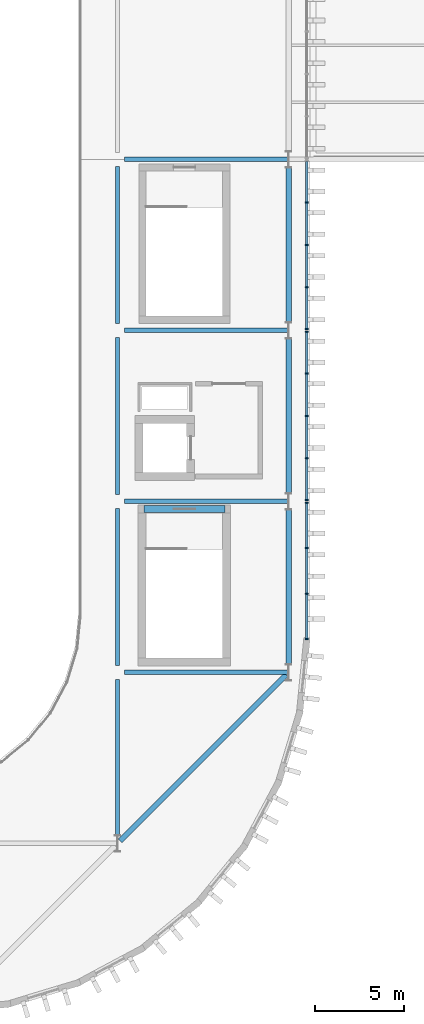
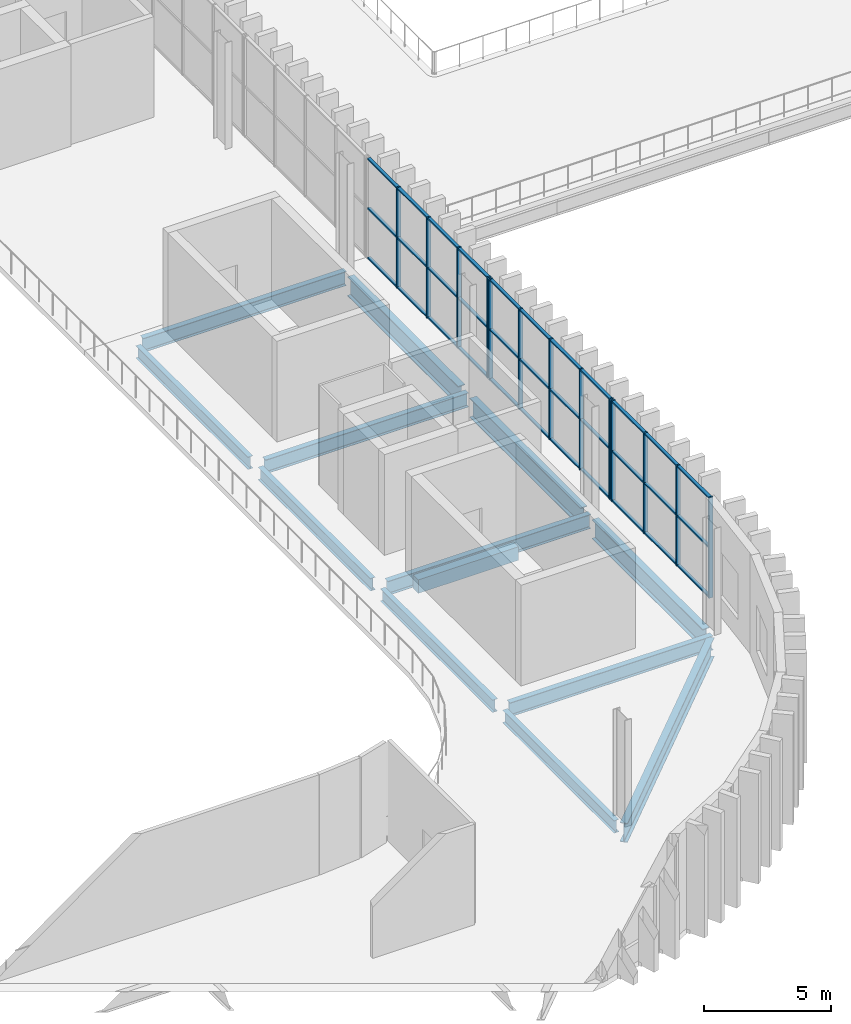
# One storey, part 15 of 45: 46 members, 13 beams, 3 elements without a shape of their own.
"""IFC4 building model written with IfcOpenShell, lengths in metres."""

from ifc_helpers import new_model, si_unit, direction, frame, origin, origin_2d, place, context, subcontext, project, spatial, rectangle, i_section, extrude, material, layer, layer_set, material_profile, profile_set, type_object, element, aggregate, save


model = new_model("IFC4")

# Units and contexts
model_context = context("Model", 3, precision=1e-05, world=origin(), true_north=direction((0.0, 1.0)))
body_context = subcontext(model_context, "Body", "Model", "MODEL_VIEW")
ifc_project = project(units=[si_unit("LENGTHUNIT", "METRE"), si_unit("AREAUNIT", "SQUARE_METRE"), si_unit("VOLUMEUNIT", "CUBIC_METRE"), si_unit("PLANEANGLEUNIT", "RADIAN"), si_unit("MASSUNIT", "GRAM", prefix="KILO")], contexts=[model_context])

# Site, building, storey
site_placement = place(None, origin())
site = spatial("IfcSite", under=ifc_project, at=site_placement, CompositionType="ELEMENT")
building_placement = place(site_placement, origin())
building = spatial("IfcBuilding", under=site, at=building_placement, Name="Caelomonte Colonnade Arena", CompositionType="ELEMENT")
storey_placement = place(building_placement, frame((0.0, 0.0, 23.10009765625)))
storey = spatial("IfcBuildingStorey", under=building, at=storey_placement, Name="L05", CompositionType="ELEMENT", Elevation=23.10009765625)

# Curtain wall, members
ifc_material_1 = material(Name="Bronze anodised aluminium and low-E glazing", Category="aluminium")
ifc_layer_1 = layer(ifc_material_1, 0.179931640625)
ifc_layer_set_1 = layer_set([ifc_layer_1], Name="Bronze anodised aluminium and low-E glazing")
curtain_wall_type_1 = type_object("IfcCurtainWallType", Name="ENV-CW-CW-L05-79-48", PredefinedType="USERDEFINED", material=ifc_layer_set_1)
curtain_wall_1_placement = place(storey_placement, origin())
curtain_wall_1 = element("IfcCurtainWall", 1, at=curtain_wall_1_placement, inside=storey, type_object=curtain_wall_type_1, Name="L05 unitized curtain wall CW-L05-1642-0440", ObjectType="UNITIZED CURTAIN WALL", PredefinedType="USERDEFINED")
ifc_material_2 = material(Name="Bronze anodised aluminium AA6063-T6", Category="aluminium")
ifc_material_profile_1 = material_profile(ifc_material_2, rectangle(XDim=0.070068359375, YDim=0.179931640625, at=origin_2d()), Name="CWM-70X180")
ifc_profile_set_1 = profile_set([ifc_material_profile_1], Name="Bronze anodised aluminium AA6063-T6")
member_type_1 = type_object("IfcMemberType", Name="ENV-CW-MULL1", PredefinedType="MULLION", material=ifc_profile_set_1)
member_1_placement = place(storey_placement, frame((164.219970703125, 40.27490234375, 0.0), z_axis=(0.0, 0.0, 1.0), x_axis=(0.0, 1.0, 0.0)))
member_1 = element("IfcMember", 2, at=member_1_placement, type_object=member_type_1, Name="CW-L05-79-48 mullion 1", PredefinedType="MULLION", context=body_context, shape_type="SweptSolid", body=[
    extrude(rectangle(XDim=0.070068359375, YDim=0.179931640625, at=origin_2d()), origin(), (0.0, 0.0, 1.0), 4.81982421875),
])
member_2_placement = place(storey_placement, frame((164.219970703125, 42.813232421875, 0.0), z_axis=(0.0, 0.0, 1.0), x_axis=(0.0, 1.0, 0.0)))
member_2 = element("IfcMember", 3, at=member_2_placement, type_object=member_type_1, Name="CW-L05-79-48 mullion 2", PredefinedType="MULLION", context=body_context, shape_type="SweptSolid", body=[
    extrude(rectangle(XDim=0.070068359375, YDim=0.179931640625, at=origin_2d()), origin(), (0.0, 0.0, 1.0), 4.81982421875),
])
member_3_placement = place(storey_placement, frame((164.219970703125, 45.38671875, 0.0), z_axis=(0.0, 0.0, 1.0), x_axis=(0.0, 1.0, 0.0)))
member_3 = element("IfcMember", 4, at=member_3_placement, type_object=member_type_1, Name="CW-L05-79-48 mullion 3", PredefinedType="MULLION", context=body_context, shape_type="SweptSolid", body=[
    extrude(rectangle(XDim=0.070068359375, YDim=0.179931640625, at=origin_2d()), origin(), (0.0, 0.0, 1.0), 4.81982421875),
])
member_4_placement = place(storey_placement, frame((164.219970703125, 47.925048828125, 0.0), z_axis=(0.0, 0.0, 1.0), x_axis=(0.0, 1.0, 0.0)))
member_4 = element("IfcMember", 5, at=member_4_placement, type_object=member_type_1, Name="CW-L05-79-48 mullion 4", PredefinedType="MULLION", context=body_context, shape_type="SweptSolid", body=[
    extrude(rectangle(XDim=0.070068359375, YDim=0.179931640625, at=origin_2d()), origin(), (0.0, 0.0, 1.0), 4.81982421875),
])

ifc_layer_2 = layer(ifc_material_1, 0.179931640625)
ifc_layer_set_2 = layer_set([ifc_layer_2], Name="Bronze anodised aluminium and low-E glazing")
curtain_wall_type_2 = type_object("IfcCurtainWallType", Name="ENV-CW-CW-L05-96-48", PredefinedType="USERDEFINED", material=ifc_layer_set_2)
curtain_wall_2_placement = place(storey_placement, origin())
curtain_wall_2 = element("IfcCurtainWall", 6, at=curtain_wall_2_placement, inside=storey, type_object=curtain_wall_type_2, Name="L05 unitized curtain wall CW-L05-1642-0528", ObjectType="UNITIZED CURTAIN WALL", PredefinedType="USERDEFINED")
member_5_placement = place(storey_placement, frame((164.219970703125, 48.074951171875, 0.0), z_axis=(0.0, 0.0, 1.0), x_axis=(0.0, 1.0, 0.0)))
member_5 = element("IfcMember", 7, at=member_5_placement, type_object=member_type_1, Name="CW-L05-96-48 mullion 1", PredefinedType="MULLION", context=body_context, shape_type="SweptSolid", body=[
    extrude(rectangle(XDim=0.070068359375, YDim=0.179931640625, at=origin_2d()), origin(), (0.0, 0.0, 1.0), 4.81982421875),
])
member_6_placement = place(storey_placement, frame((164.219970703125, 50.419921875, 0.0), z_axis=(0.0, 0.0, 1.0), x_axis=(0.0, 1.0, 0.0)))
member_6 = element("IfcMember", 8, at=member_6_placement, type_object=member_type_1, Name="CW-L05-96-48 mullion 2", PredefinedType="MULLION", context=body_context, shape_type="SweptSolid", body=[
    extrude(rectangle(XDim=0.070068359375, YDim=0.179931640625, at=origin_2d()), origin(), (0.0, 0.0, 1.0), 4.81982421875),
])
member_7_placement = place(storey_placement, frame((164.219970703125, 52.800048828125, 0.0), z_axis=(0.0, 0.0, 1.0), x_axis=(0.0, 1.0, 0.0)))
member_7 = element("IfcMember", 9, at=member_7_placement, type_object=member_type_1, Name="CW-L05-96-48 mullion 3", PredefinedType="MULLION", context=body_context, shape_type="SweptSolid", body=[
    extrude(rectangle(XDim=0.070068359375, YDim=0.179931640625, at=origin_2d()), origin(), (0.0, 0.0, 1.0), 4.81982421875),
])
member_8_placement = place(storey_placement, frame((164.219970703125, 55.179931640625, 0.0), z_axis=(0.0, 0.0, 1.0), x_axis=(0.0, 1.0, 0.0)))
member_8 = element("IfcMember", 10, at=member_8_placement, type_object=member_type_1, Name="CW-L05-96-48 mullion 4", PredefinedType="MULLION", context=body_context, shape_type="SweptSolid", body=[
    extrude(rectangle(XDim=0.070068359375, YDim=0.179931640625, at=origin_2d()), origin(), (0.0, 0.0, 1.0), 4.81982421875),
])
member_9_placement = place(storey_placement, frame((164.219970703125, 57.52490234375, 0.0), z_axis=(0.0, 0.0, 1.0), x_axis=(0.0, 1.0, 0.0)))
member_9 = element("IfcMember", 11, at=member_9_placement, type_object=member_type_1, Name="CW-L05-96-48 mullion 5", PredefinedType="MULLION", context=body_context, shape_type="SweptSolid", body=[
    extrude(rectangle(XDim=0.070068359375, YDim=0.179931640625, at=origin_2d()), origin(), (0.0, 0.0, 1.0), 4.81982421875),
])

curtain_wall_3_placement = place(storey_placement, origin())
curtain_wall_3 = element("IfcCurtainWall", 12, at=curtain_wall_3_placement, inside=storey, type_object=curtain_wall_type_2, Name="L05 unitized curtain wall CW-L05-1642-0624", ObjectType="UNITIZED CURTAIN WALL", PredefinedType="USERDEFINED")
member_10_placement = place(storey_placement, frame((164.219970703125, 57.675048828125, 0.0), z_axis=(0.0, 0.0, 1.0), x_axis=(0.0, 1.0, 0.0)))
member_10 = element("IfcMember", 13, at=member_10_placement, type_object=member_type_1, Name="CW-L05-96-48 mullion 1", PredefinedType="MULLION", context=body_context, shape_type="SweptSolid", body=[
    extrude(rectangle(XDim=0.070068359375, YDim=0.179931640625, at=origin_2d()), origin(), (0.0, 0.0, 1.0), 4.81982421875),
])
member_11_placement = place(storey_placement, frame((164.219970703125, 60.02001953125, 0.0), z_axis=(0.0, 0.0, 1.0), x_axis=(0.0, 1.0, 0.0)))
member_11 = element("IfcMember", 14, at=member_11_placement, type_object=member_type_1, Name="CW-L05-96-48 mullion 2", PredefinedType="MULLION", context=body_context, shape_type="SweptSolid", body=[
    extrude(rectangle(XDim=0.070068359375, YDim=0.179931640625, at=origin_2d()), origin(), (0.0, 0.0, 1.0), 4.81982421875),
])
member_12_placement = place(storey_placement, frame((164.219970703125, 62.39990234375, 0.0), z_axis=(0.0, 0.0, 1.0), x_axis=(0.0, 1.0, 0.0)))
member_12 = element("IfcMember", 15, at=member_12_placement, type_object=member_type_1, Name="CW-L05-96-48 mullion 3", PredefinedType="MULLION", context=body_context, shape_type="SweptSolid", body=[
    extrude(rectangle(XDim=0.070068359375, YDim=0.179931640625, at=origin_2d()), origin(), (0.0, 0.0, 1.0), 4.81982421875),
])
member_13_placement = place(storey_placement, frame((164.219970703125, 64.780029296875, 0.0), z_axis=(0.0, 0.0, 1.0), x_axis=(0.0, 1.0, 0.0)))
member_13 = element("IfcMember", 16, at=member_13_placement, type_object=member_type_1, Name="CW-L05-96-48 mullion 4", PredefinedType="MULLION", context=body_context, shape_type="SweptSolid", body=[
    extrude(rectangle(XDim=0.070068359375, YDim=0.179931640625, at=origin_2d()), origin(), (0.0, 0.0, 1.0), 4.81982421875),
])

# Member
ifc_material_profile_2 = material_profile(ifc_material_2, rectangle(XDim=0.070068359375, YDim=0.139892578125, at=origin_2d()), Name="CWT-70X140")
ifc_profile_set_2 = profile_set([ifc_material_profile_2], Name="Bronze anodised aluminium AA6063-T6")
member_type_2 = type_object("IfcMemberType", Name="ENV-CW-TRAN1", PredefinedType="USERDEFINED", material=ifc_profile_set_2)
member_14_placement = place(storey_placement, frame((164.219970703125, 40.31005859375, 0.034912109375), z_axis=(0.0, 1.0, 0.0), x_axis=(0.0, 0.0, 1.0)))
member_14 = element("IfcMember", 17, at=member_14_placement, type_object=member_type_2, Name="CW-L05-79-48 transom 1.1", ObjectType="TRANSOM", PredefinedType="USERDEFINED", context=body_context, shape_type="SweptSolid", body=[
    extrude(rectangle(XDim=0.070068359375, YDim=0.139892578125, at=origin_2d()), origin(), (0.0, 0.0, 1.0), 2.46826171875),
])

member_15_placement = place(storey_placement, frame((164.219970703125, 40.31005859375, 2.409912109375), z_axis=(0.0, 1.0, 0.0), x_axis=(0.0, 0.0, 1.0)))
member_15 = element("IfcMember", 18, at=member_15_placement, type_object=member_type_2, Name="CW-L05-79-48 transom 1.2", ObjectType="TRANSOM", PredefinedType="USERDEFINED", context=body_context, shape_type="SweptSolid", body=[
    extrude(rectangle(XDim=0.070068359375, YDim=0.139892578125, at=origin_2d()), origin(), (0.0, 0.0, 1.0), 2.46826171875),
])

member_16_placement = place(storey_placement, frame((164.219970703125, 40.31005859375, 4.784912109375), z_axis=(0.0, 1.0, 0.0), x_axis=(0.0, 0.0, 1.0)))
member_16 = element("IfcMember", 19, at=member_16_placement, type_object=member_type_2, Name="CW-L05-79-48 transom 1.3", ObjectType="TRANSOM", PredefinedType="USERDEFINED", context=body_context, shape_type="SweptSolid", body=[
    extrude(rectangle(XDim=0.070068359375, YDim=0.139892578125, at=origin_2d()), origin(), (0.0, 0.0, 1.0), 2.46826171875),
])

member_17_placement = place(storey_placement, frame((164.219970703125, 42.848388671875, 0.034912109375), z_axis=(0.0, 1.0, 0.0), x_axis=(0.0, 0.0, 1.0)))
member_17 = element("IfcMember", 20, at=member_17_placement, type_object=member_type_2, Name="CW-L05-79-48 transom 2.1", ObjectType="TRANSOM", PredefinedType="USERDEFINED", context=body_context, shape_type="SweptSolid", body=[
    extrude(rectangle(XDim=0.070068359375, YDim=0.139892578125, at=origin_2d()), origin(), (0.0, 0.0, 1.0), 2.503173828125),
])

member_18_placement = place(storey_placement, frame((164.219970703125, 42.848388671875, 2.409912109375), z_axis=(0.0, 1.0, 0.0), x_axis=(0.0, 0.0, 1.0)))
member_18 = element("IfcMember", 21, at=member_18_placement, type_object=member_type_2, Name="CW-L05-79-48 transom 2.2", ObjectType="TRANSOM", PredefinedType="USERDEFINED", context=body_context, shape_type="SweptSolid", body=[
    extrude(rectangle(XDim=0.070068359375, YDim=0.139892578125, at=origin_2d()), origin(), (0.0, 0.0, 1.0), 2.503173828125),
])

member_19_placement = place(storey_placement, frame((164.219970703125, 42.848388671875, 4.784912109375), z_axis=(0.0, 1.0, 0.0), x_axis=(0.0, 0.0, 1.0)))
member_19 = element("IfcMember", 22, at=member_19_placement, type_object=member_type_2, Name="CW-L05-79-48 transom 2.3", ObjectType="TRANSOM", PredefinedType="USERDEFINED", context=body_context, shape_type="SweptSolid", body=[
    extrude(rectangle(XDim=0.070068359375, YDim=0.139892578125, at=origin_2d()), origin(), (0.0, 0.0, 1.0), 2.503173828125),
])

member_20_placement = place(storey_placement, frame((164.219970703125, 45.421630859375, 0.034912109375), z_axis=(0.0, 1.0, 0.0), x_axis=(0.0, 0.0, 1.0)))
member_20 = element("IfcMember", 23, at=member_20_placement, type_object=member_type_2, Name="CW-L05-79-48 transom 3.1", ObjectType="TRANSOM", PredefinedType="USERDEFINED", context=body_context, shape_type="SweptSolid", body=[
    extrude(rectangle(XDim=0.070068359375, YDim=0.139892578125, at=origin_2d()), origin(), (0.0, 0.0, 1.0), 2.46826171875),
])

member_21_placement = place(storey_placement, frame((164.219970703125, 45.421630859375, 2.409912109375), z_axis=(0.0, 1.0, 0.0), x_axis=(0.0, 0.0, 1.0)))
member_21 = element("IfcMember", 24, at=member_21_placement, type_object=member_type_2, Name="CW-L05-79-48 transom 3.2", ObjectType="TRANSOM", PredefinedType="USERDEFINED", context=body_context, shape_type="SweptSolid", body=[
    extrude(rectangle(XDim=0.070068359375, YDim=0.139892578125, at=origin_2d()), origin(), (0.0, 0.0, 1.0), 2.46826171875),
])

member_22_placement = place(storey_placement, frame((164.219970703125, 45.421630859375, 4.784912109375), z_axis=(0.0, 1.0, 0.0), x_axis=(0.0, 0.0, 1.0)))
member_22 = element("IfcMember", 25, at=member_22_placement, type_object=member_type_2, Name="CW-L05-79-48 transom 3.3", ObjectType="TRANSOM", PredefinedType="USERDEFINED", context=body_context, shape_type="SweptSolid", body=[
    extrude(rectangle(XDim=0.070068359375, YDim=0.139892578125, at=origin_2d()), origin(), (0.0, 0.0, 1.0), 2.46826171875),
])

aggregate(curtain_wall_1, [member_1, member_2, member_3, member_4, member_14, member_15, member_16, member_17, member_18, member_19, member_20, member_21, member_22])

member_23_placement = place(storey_placement, frame((164.219970703125, 48.110107421875, 0.034912109375), z_axis=(0.0, 1.0, 0.0), x_axis=(0.0, 0.0, 1.0)))
member_23 = element("IfcMember", 26, at=member_23_placement, type_object=member_type_2, Name="CW-L05-96-48 transom 1.1", ObjectType="TRANSOM", PredefinedType="USERDEFINED", context=body_context, shape_type="SweptSolid", body=[
    extrude(rectangle(XDim=0.070068359375, YDim=0.139892578125, at=origin_2d()), origin(), (0.0, 0.0, 1.0), 2.27490234375),
])

member_24_placement = place(storey_placement, frame((164.219970703125, 48.110107421875, 2.409912109375), z_axis=(0.0, 1.0, 0.0), x_axis=(0.0, 0.0, 1.0)))
member_24 = element("IfcMember", 27, at=member_24_placement, type_object=member_type_2, Name="CW-L05-96-48 transom 1.2", ObjectType="TRANSOM", PredefinedType="USERDEFINED", context=body_context, shape_type="SweptSolid", body=[
    extrude(rectangle(XDim=0.070068359375, YDim=0.139892578125, at=origin_2d()), origin(), (0.0, 0.0, 1.0), 2.27490234375),
])

member_25_placement = place(storey_placement, frame((164.219970703125, 48.110107421875, 4.784912109375), z_axis=(0.0, 1.0, 0.0), x_axis=(0.0, 0.0, 1.0)))
member_25 = element("IfcMember", 28, at=member_25_placement, type_object=member_type_2, Name="CW-L05-96-48 transom 1.3", ObjectType="TRANSOM", PredefinedType="USERDEFINED", context=body_context, shape_type="SweptSolid", body=[
    extrude(rectangle(XDim=0.070068359375, YDim=0.139892578125, at=origin_2d()), origin(), (0.0, 0.0, 1.0), 2.27490234375),
])

member_26_placement = place(storey_placement, frame((164.219970703125, 50.455078125, 0.034912109375), z_axis=(0.0, 1.0, 0.0), x_axis=(0.0, 0.0, 1.0)))
member_26 = element("IfcMember", 29, at=member_26_placement, type_object=member_type_2, Name="CW-L05-96-48 transom 2.1", ObjectType="TRANSOM", PredefinedType="USERDEFINED", context=body_context, shape_type="SweptSolid", body=[
    extrude(rectangle(XDim=0.070068359375, YDim=0.139892578125, at=origin_2d()), origin(), (0.0, 0.0, 1.0), 2.309814453125),
])

member_27_placement = place(storey_placement, frame((164.219970703125, 50.455078125, 2.409912109375), z_axis=(0.0, 1.0, 0.0), x_axis=(0.0, 0.0, 1.0)))
member_27 = element("IfcMember", 30, at=member_27_placement, type_object=member_type_2, Name="CW-L05-96-48 transom 2.2", ObjectType="TRANSOM", PredefinedType="USERDEFINED", context=body_context, shape_type="SweptSolid", body=[
    extrude(rectangle(XDim=0.070068359375, YDim=0.139892578125, at=origin_2d()), origin(), (0.0, 0.0, 1.0), 2.309814453125),
])

member_28_placement = place(storey_placement, frame((164.219970703125, 50.455078125, 4.784912109375), z_axis=(0.0, 1.0, 0.0), x_axis=(0.0, 0.0, 1.0)))
member_28 = element("IfcMember", 31, at=member_28_placement, type_object=member_type_2, Name="CW-L05-96-48 transom 2.3", ObjectType="TRANSOM", PredefinedType="USERDEFINED", context=body_context, shape_type="SweptSolid", body=[
    extrude(rectangle(XDim=0.070068359375, YDim=0.139892578125, at=origin_2d()), origin(), (0.0, 0.0, 1.0), 2.309814453125),
])

member_29_placement = place(storey_placement, frame((164.219970703125, 52.8349609375, 0.034912109375), z_axis=(0.0, 1.0, 0.0), x_axis=(0.0, 0.0, 1.0)))
member_29 = element("IfcMember", 32, at=member_29_placement, type_object=member_type_2, Name="CW-L05-96-48 transom 3.1", ObjectType="TRANSOM", PredefinedType="USERDEFINED", context=body_context, shape_type="SweptSolid", body=[
    extrude(rectangle(XDim=0.070068359375, YDim=0.139892578125, at=origin_2d()), origin(), (0.0, 0.0, 1.0), 2.31005859375),
])

member_30_placement = place(storey_placement, frame((164.219970703125, 52.8349609375, 2.409912109375), z_axis=(0.0, 1.0, 0.0), x_axis=(0.0, 0.0, 1.0)))
member_30 = element("IfcMember", 33, at=member_30_placement, type_object=member_type_2, Name="CW-L05-96-48 transom 3.2", ObjectType="TRANSOM", PredefinedType="USERDEFINED", context=body_context, shape_type="SweptSolid", body=[
    extrude(rectangle(XDim=0.070068359375, YDim=0.139892578125, at=origin_2d()), origin(), (0.0, 0.0, 1.0), 2.31005859375),
])

member_31_placement = place(storey_placement, frame((164.219970703125, 52.8349609375, 4.784912109375), z_axis=(0.0, 1.0, 0.0), x_axis=(0.0, 0.0, 1.0)))
member_31 = element("IfcMember", 34, at=member_31_placement, type_object=member_type_2, Name="CW-L05-96-48 transom 3.3", ObjectType="TRANSOM", PredefinedType="USERDEFINED", context=body_context, shape_type="SweptSolid", body=[
    extrude(rectangle(XDim=0.070068359375, YDim=0.139892578125, at=origin_2d()), origin(), (0.0, 0.0, 1.0), 2.31005859375),
])

member_32_placement = place(storey_placement, frame((164.219970703125, 55.215087890625, 0.034912109375), z_axis=(0.0, 1.0, 0.0), x_axis=(0.0, 0.0, 1.0)))
member_32 = element("IfcMember", 35, at=member_32_placement, type_object=member_type_2, Name="CW-L05-96-48 transom 4.1", ObjectType="TRANSOM", PredefinedType="USERDEFINED", context=body_context, shape_type="SweptSolid", body=[
    extrude(rectangle(XDim=0.070068359375, YDim=0.139892578125, at=origin_2d()), origin(), (0.0, 0.0, 1.0), 2.27490234375),
])

member_33_placement = place(storey_placement, frame((164.219970703125, 55.215087890625, 2.409912109375), z_axis=(0.0, 1.0, 0.0), x_axis=(0.0, 0.0, 1.0)))
member_33 = element("IfcMember", 36, at=member_33_placement, type_object=member_type_2, Name="CW-L05-96-48 transom 4.2", ObjectType="TRANSOM", PredefinedType="USERDEFINED", context=body_context, shape_type="SweptSolid", body=[
    extrude(rectangle(XDim=0.070068359375, YDim=0.139892578125, at=origin_2d()), origin(), (0.0, 0.0, 1.0), 2.27490234375),
])

member_34_placement = place(storey_placement, frame((164.219970703125, 55.215087890625, 4.784912109375), z_axis=(0.0, 1.0, 0.0), x_axis=(0.0, 0.0, 1.0)))
member_34 = element("IfcMember", 37, at=member_34_placement, type_object=member_type_2, Name="CW-L05-96-48 transom 4.3", ObjectType="TRANSOM", PredefinedType="USERDEFINED", context=body_context, shape_type="SweptSolid", body=[
    extrude(rectangle(XDim=0.070068359375, YDim=0.139892578125, at=origin_2d()), origin(), (0.0, 0.0, 1.0), 2.27490234375),
])

aggregate(curtain_wall_2, [member_5, member_6, member_7, member_8, member_9, member_23, member_24, member_25, member_26, member_27, member_28, member_29, member_30, member_31, member_32, member_33, member_34])

member_35_placement = place(storey_placement, frame((164.219970703125, 57.7099609375, 0.034912109375), z_axis=(0.0, 1.0, 0.0), x_axis=(0.0, 0.0, 1.0)))
member_35 = element("IfcMember", 38, at=member_35_placement, type_object=member_type_2, Name="CW-L05-96-48 transom 1.1", ObjectType="TRANSOM", PredefinedType="USERDEFINED", context=body_context, shape_type="SweptSolid", body=[
    extrude(rectangle(XDim=0.070068359375, YDim=0.139892578125, at=origin_2d()), origin(), (0.0, 0.0, 1.0), 2.275146484375),
])

member_36_placement = place(storey_placement, frame((164.219970703125, 57.7099609375, 2.409912109375), z_axis=(0.0, 1.0, 0.0), x_axis=(0.0, 0.0, 1.0)))
member_36 = element("IfcMember", 39, at=member_36_placement, type_object=member_type_2, Name="CW-L05-96-48 transom 1.2", ObjectType="TRANSOM", PredefinedType="USERDEFINED", context=body_context, shape_type="SweptSolid", body=[
    extrude(rectangle(XDim=0.070068359375, YDim=0.139892578125, at=origin_2d()), origin(), (0.0, 0.0, 1.0), 2.275146484375),
])

member_37_placement = place(storey_placement, frame((164.219970703125, 57.7099609375, 4.784912109375), z_axis=(0.0, 1.0, 0.0), x_axis=(0.0, 0.0, 1.0)))
member_37 = element("IfcMember", 40, at=member_37_placement, type_object=member_type_2, Name="CW-L05-96-48 transom 1.3", ObjectType="TRANSOM", PredefinedType="USERDEFINED", context=body_context, shape_type="SweptSolid", body=[
    extrude(rectangle(XDim=0.070068359375, YDim=0.139892578125, at=origin_2d()), origin(), (0.0, 0.0, 1.0), 2.275146484375),
])

member_38_placement = place(storey_placement, frame((164.219970703125, 60.054931640625, 0.034912109375), z_axis=(0.0, 1.0, 0.0), x_axis=(0.0, 0.0, 1.0)))
member_38 = element("IfcMember", 41, at=member_38_placement, type_object=member_type_2, Name="CW-L05-96-48 transom 2.1", ObjectType="TRANSOM", PredefinedType="USERDEFINED", context=body_context, shape_type="SweptSolid", body=[
    extrude(rectangle(XDim=0.070068359375, YDim=0.139892578125, at=origin_2d()), origin(), (0.0, 0.0, 1.0), 2.31005859375),
])

member_39_placement = place(storey_placement, frame((164.219970703125, 60.054931640625, 2.409912109375), z_axis=(0.0, 1.0, 0.0), x_axis=(0.0, 0.0, 1.0)))
member_39 = element("IfcMember", 42, at=member_39_placement, type_object=member_type_2, Name="CW-L05-96-48 transom 2.2", ObjectType="TRANSOM", PredefinedType="USERDEFINED", context=body_context, shape_type="SweptSolid", body=[
    extrude(rectangle(XDim=0.070068359375, YDim=0.139892578125, at=origin_2d()), origin(), (0.0, 0.0, 1.0), 2.31005859375),
])

member_40_placement = place(storey_placement, frame((164.219970703125, 60.054931640625, 4.784912109375), z_axis=(0.0, 1.0, 0.0), x_axis=(0.0, 0.0, 1.0)))
member_40 = element("IfcMember", 43, at=member_40_placement, type_object=member_type_2, Name="CW-L05-96-48 transom 2.3", ObjectType="TRANSOM", PredefinedType="USERDEFINED", context=body_context, shape_type="SweptSolid", body=[
    extrude(rectangle(XDim=0.070068359375, YDim=0.139892578125, at=origin_2d()), origin(), (0.0, 0.0, 1.0), 2.31005859375),
])

member_41_placement = place(storey_placement, frame((164.219970703125, 62.43505859375, 0.034912109375), z_axis=(0.0, 1.0, 0.0), x_axis=(0.0, 0.0, 1.0)))
member_41 = element("IfcMember", 44, at=member_41_placement, type_object=member_type_2, Name="CW-L05-96-48 transom 3.1", ObjectType="TRANSOM", PredefinedType="USERDEFINED", context=body_context, shape_type="SweptSolid", body=[
    extrude(rectangle(XDim=0.070068359375, YDim=0.139892578125, at=origin_2d()), origin(), (0.0, 0.0, 1.0), 2.31005859375),
])

member_42_placement = place(storey_placement, frame((164.219970703125, 62.43505859375, 2.409912109375), z_axis=(0.0, 1.0, 0.0), x_axis=(0.0, 0.0, 1.0)))
member_42 = element("IfcMember", 45, at=member_42_placement, type_object=member_type_2, Name="CW-L05-96-48 transom 3.2", ObjectType="TRANSOM", PredefinedType="USERDEFINED", context=body_context, shape_type="SweptSolid", body=[
    extrude(rectangle(XDim=0.070068359375, YDim=0.139892578125, at=origin_2d()), origin(), (0.0, 0.0, 1.0), 2.31005859375),
])

member_43_placement = place(storey_placement, frame((164.219970703125, 62.43505859375, 4.784912109375), z_axis=(0.0, 1.0, 0.0), x_axis=(0.0, 0.0, 1.0)))
member_43 = element("IfcMember", 46, at=member_43_placement, type_object=member_type_2, Name="CW-L05-96-48 transom 3.3", ObjectType="TRANSOM", PredefinedType="USERDEFINED", context=body_context, shape_type="SweptSolid", body=[
    extrude(rectangle(XDim=0.070068359375, YDim=0.139892578125, at=origin_2d()), origin(), (0.0, 0.0, 1.0), 2.31005859375),
])

member_44_placement = place(storey_placement, frame((164.219970703125, 64.81494140625, 0.034912109375), z_axis=(0.0, 1.0, 0.0), x_axis=(0.0, 0.0, 1.0)))
member_44 = element("IfcMember", 47, at=member_44_placement, type_object=member_type_2, Name="CW-L05-96-48 transom 4.1", ObjectType="TRANSOM", PredefinedType="USERDEFINED", context=body_context, shape_type="SweptSolid", body=[
    extrude(rectangle(XDim=0.070068359375, YDim=0.139892578125, at=origin_2d()), origin(), (0.0, 0.0, 1.0), 2.275146484375),
])

member_45_placement = place(storey_placement, frame((164.219970703125, 64.81494140625, 2.409912109375), z_axis=(0.0, 1.0, 0.0), x_axis=(0.0, 0.0, 1.0)))
member_45 = element("IfcMember", 48, at=member_45_placement, type_object=member_type_2, Name="CW-L05-96-48 transom 4.2", ObjectType="TRANSOM", PredefinedType="USERDEFINED", context=body_context, shape_type="SweptSolid", body=[
    extrude(rectangle(XDim=0.070068359375, YDim=0.139892578125, at=origin_2d()), origin(), (0.0, 0.0, 1.0), 2.275146484375),
])

member_46_placement = place(storey_placement, frame((164.219970703125, 64.81494140625, 4.784912109375), z_axis=(0.0, 1.0, 0.0), x_axis=(0.0, 0.0, 1.0)))
member_46 = element("IfcMember", 49, at=member_46_placement, type_object=member_type_2, Name="CW-L05-96-48 transom 4.3", ObjectType="TRANSOM", PredefinedType="USERDEFINED", context=body_context, shape_type="SweptSolid", body=[
    extrude(rectangle(XDim=0.070068359375, YDim=0.139892578125, at=origin_2d()), origin(), (0.0, 0.0, 1.0), 2.275146484375),
])

aggregate(curtain_wall_3, [member_10, member_11, member_12, member_13, member_35, member_36, member_37, member_38, member_39, member_40, member_41, member_42, member_43, member_44, member_45, member_46])

# Beams
ifc_material_3 = material(Name="Wide-flange steel ASTM A992 Grade 50", Category="steel")
ifc_material_profile_3 = material_profile(ifc_material_3, i_section(OverallWidth=0.307861328125, OverallDepth=0.927001953125, WebThickness=0.019287109375, FlangeThickness=0.031982421875, FilletRadius=0.020263671875, at=origin_2d()), Name="W36X194")
ifc_profile_set_3 = profile_set([ifc_material_profile_3], Name="Wide-flange steel ASTM A992 Grade 50")
beam_type_1 = type_object("IfcBeamType", Name="STR-BM-EAVES2", PredefinedType="SPANDREL", material=ifc_profile_set_3)
for number, where, z_axis, x_axis, name in (
    (50, (163.199951171875, 38.855712890625, -0.7236328125), (0.0, 1.0, 0.0), (-1.0, 0.0, 0.0), "L05 girder BMY-L05-1632-0384"),
    (51, (163.199951171875, 48.45556640625, -0.7236328125), (0.0, 1.0, 0.0), (-1.0, 0.0, 0.0), "L05 girder BMY-L05-1632-0480"),
    (52, (163.199951171875, 58.0556640625, -0.7236328125), (0.0, 1.0, 0.0), (-1.0, 0.0, 0.0), "L05 girder BMY-L05-1632-0576"),
):
    element("IfcBeam", number, at=place(storey_placement, frame(where, z_axis=z_axis, x_axis=x_axis)), inside=storey, type_object=beam_type_1, Name=name, PredefinedType="SPANDREL", context=body_context, shape_type="SweptSolid", body=[
        extrude(i_section(OverallWidth=0.307861328125, OverallDepth=0.927001953125, WebThickness=0.019287109375, FlangeThickness=0.031982421875, FilletRadius=0.020263671875, at=origin_2d()), origin(), (0.0, 0.0, 1.0), 8.688720703125),
    ])
beam_1_placement = place(storey_placement, frame((153.7421875, 28.942138671875, -0.7236328125), z_axis=(0.707106781187, 0.707106781187, 0.0), x_axis=(-0.707106781187, 0.707106781187, 0.0)))
element("IfcBeam", 53, at=beam_1_placement, inside=storey, type_object=beam_type_1, Name="L05 drum corner ring girder 4", PredefinedType="SPANDREL", context=body_context, shape_type="SweptSolid", body=[
    extrude(i_section(OverallWidth=0.307861328125, OverallDepth=0.927001953125, WebThickness=0.019287109375, FlangeThickness=0.031982421875, FilletRadius=0.020263671875, at=origin_2d()), origin(), (0.0, 0.0, 1.0), 13.17431640625),
])
ifc_material_profile_4 = material_profile(ifc_material_3, i_section(OverallWidth=0.227783203125, OverallDepth=0.60205078125, WebThickness=0.010498046875, FlangeThickness=0.014892578125, FilletRadius=0.0126953125, at=origin_2d()), Name="W24X68")
ifc_profile_set_4 = profile_set([ifc_material_profile_4], Name="Wide-flange steel ASTM A992 Grade 50")
beam_type_2 = type_object("IfcBeamType", Name="STR-BM-GIRD24B", PredefinedType="SPANDREL", material=ifc_profile_set_4)
beam_2_placement = place(storey_placement, frame((153.60009765625, 29.255615234375, -0.56103515625), z_axis=(0.0, 1.0, 0.0), x_axis=(-1.0, 0.0, 0.0)))
element("IfcBeam", 54, at=beam_2_placement, inside=storey, type_object=beam_type_2, Name="L05 girder BMY-L05-1536-0288", PredefinedType="SPANDREL", context=body_context, shape_type="SweptSolid", body=[
    extrude(i_section(OverallWidth=0.227783203125, OverallDepth=0.60205078125, WebThickness=0.010498046875, FlangeThickness=0.014892578125, FilletRadius=0.0126953125, at=origin_2d()), origin(), (0.0, 0.0, 1.0), 8.75244140625),
])
for number, where, z_axis, x_axis, name in (
    (55, (153.60009765625, 38.7919921875, -0.56103515625), (0.0, 1.0, 0.0), (-1.0, 0.0, 0.0), "L05 girder BMY-L05-1536-0384"),
    (56, (153.60009765625, 48.39208984375, -0.56103515625), (0.0, 1.0, 0.0), (-1.0, 0.0, 0.0), "L05 girder BMY-L05-1536-0480"),
):
    element("IfcBeam", number, at=place(storey_placement, frame(where, z_axis=z_axis, x_axis=x_axis)), inside=storey, type_object=beam_type_2, Name=name, PredefinedType="SPANDREL", context=body_context, shape_type="SweptSolid", body=[
        extrude(i_section(OverallWidth=0.227783203125, OverallDepth=0.60205078125, WebThickness=0.010498046875, FlangeThickness=0.014892578125, FilletRadius=0.0126953125, at=origin_2d()), origin(), (0.0, 0.0, 1.0), 8.81591796875),
    ])
beam_3_placement = place(storey_placement, frame((153.60009765625, 57.991943359375, -0.56103515625), z_axis=(0.0, 1.0, 0.0), x_axis=(-1.0, 0.0, 0.0)))
element("IfcBeam", 57, at=beam_3_placement, inside=storey, type_object=beam_type_2, Name="L05 girder BMY-L05-1536-0576", PredefinedType="SPANDREL", context=body_context, shape_type="SweptSolid", body=[
    extrude(i_section(OverallWidth=0.227783203125, OverallDepth=0.60205078125, WebThickness=0.010498046875, FlangeThickness=0.014892578125, FilletRadius=0.0126953125, at=origin_2d()), origin(), (0.0, 0.0, 1.0), 8.816162109375),
])
ifc_material_profile_5 = material_profile(ifc_material_3, i_section(OverallWidth=0.2529296875, OverallDepth=0.67822265625, WebThickness=0.01171875, FlangeThickness=0.016357421875, FilletRadius=0.01513671875, at=origin_2d()), Name="W27X84")
ifc_profile_set_5 = profile_set([ifc_material_profile_5], Name="Wide-flange steel ASTM A992 Grade 50")
beam_type_3 = type_object("IfcBeamType", Name="STR-BM-GIRD27B", PredefinedType="BEAM", material=ifc_profile_set_5)
for number, where, z_axis, x_axis, name in (
    (58, (153.991943359375, 38.39990234375, -0.59912109375), (1.0, 0.0, 0.0), (0.0, 1.0, 0.0), "L05 girder BMX-L05-1536-0384"),
    (59, (153.991943359375, 48.0, -0.59912109375), (1.0, 0.0, 0.0), (0.0, 1.0, 0.0), "L05 girder BMX-L05-1536-0480"),
    (60, (153.991943359375, 57.60009765625, -0.59912109375), (1.0, 0.0, 0.0), (0.0, 1.0, 0.0), "L05 girder BMX-L05-1536-0576"),
    (61, (153.991943359375, 67.199951171875, -0.59912109375), (1.0, 0.0, 0.0), (0.0, 1.0, 0.0), "L05 girder BMX-L05-1536-0672"),
):
    element("IfcBeam", number, at=place(storey_placement, frame(where, z_axis=z_axis, x_axis=x_axis)), inside=storey, type_object=beam_type_3, Name=name, PredefinedType="BEAM", context=body_context, shape_type="SweptSolid", body=[
        extrude(i_section(OverallWidth=0.2529296875, OverallDepth=0.67822265625, WebThickness=0.01171875, FlangeThickness=0.016357421875, FilletRadius=0.01513671875, at=origin_2d()), origin(), (0.0, 0.0, 1.0), 9.1982421875),
    ])
ifc_material_4 = material(Name="Concrete C40/50", Category="concrete")
ifc_material_profile_6 = material_profile(ifc_material_4, rectangle(XDim=0.39990234375, YDim=0.64990234375, at=origin_2d()), Name="RC400X650")
ifc_profile_set_6 = profile_set([ifc_material_profile_6], Name="Concrete C40/50")
beam_type_4 = type_object("IfcBeamType", Name="STR-BM-LINT40", PredefinedType="LINTEL", material=ifc_profile_set_6)
beam_4_placement = place(storey_placement, frame((155.074951171875, 47.574951171875, -0.585205078125), z_axis=(1.0, 0.0, 0.0), x_axis=(0.0, 1.0, 0.0)))
element("IfcBeam", 62, at=beam_4_placement, inside=storey, type_object=beam_type_4, Name="Core C2 L05 coupling lintel beam", PredefinedType="LINTEL", context=body_context, shape_type="SweptSolid", body=[
    extrude(rectangle(XDim=0.39990234375, YDim=0.64990234375, at=origin_2d()), origin(), (0.0, 0.0, 1.0), 4.550048828125),
])

save(model, "model.ifc")
